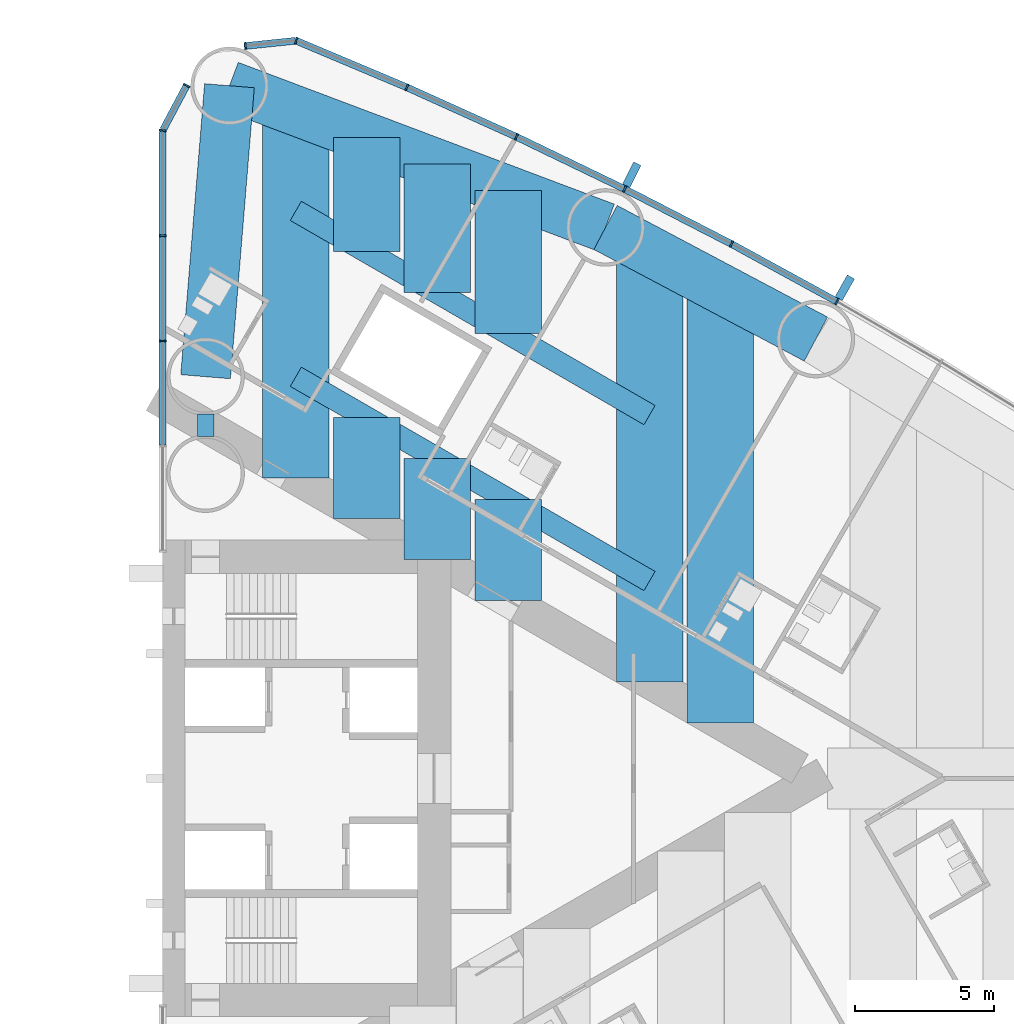
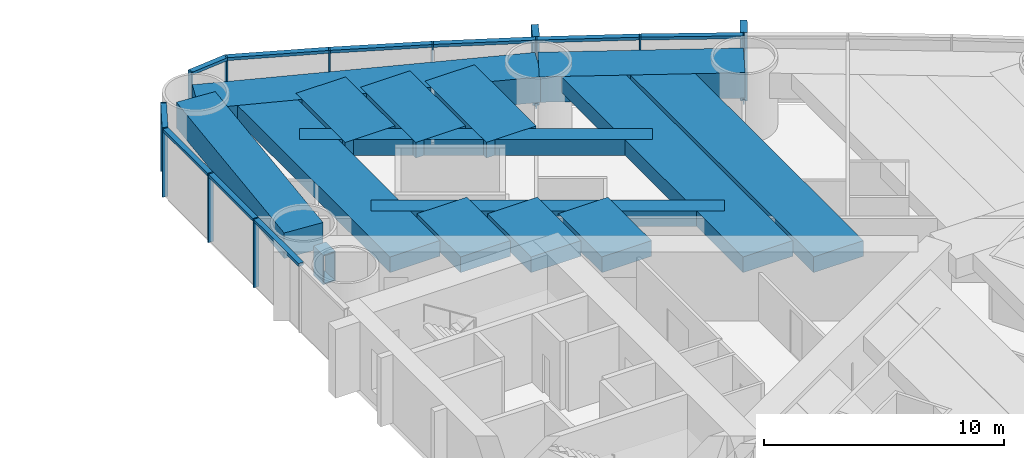
# One storey, part 7 of 19: 23 members, 15 beams, 2 elements without a shape of their own.
"""IFC4 building model written with IfcOpenShell, lengths in metres."""

import ifcopenshell
import ifcopenshell.guid

model = None  # the IFC model being written
_history = None  # IfcOwnerHistory: only IFC2X3 demands one
_inside = {}  # id of a spatial element -> (the spatial element, [elements in it])
_under = {}  # id of a project, library or spatial element -> (it, [spatial elements below it])
_declared = {}  # id of a project -> (the project, [libraries it declares])
_typed = {}  # id of a type object -> (the type object, [elements of that type])
_made_of = {}  # id of a material, layer set ... -> (it, [elements and type objects made of it])


def new_model(schema):
    """Start an empty IFC model of exactly this schema.

    Asked for "IFC4X3", IfcOpenShell would pick the latest addendum, in which some entities
    have other attributes; the version numbers below select the first issue.
    IFC2X3 requires an IfcOwnerHistory on every rooted entity: one is made here for all.
    """
    global model, _history
    if schema == "IFC4X3":
        model = ifcopenshell.file(schema_version=(4, 3, 0, 0))
    else:
        model = ifcopenshell.file(schema=schema)
    _inside.clear()
    _under.clear()
    _declared.clear()
    _typed.clear()
    _made_of.clear()
    _history = None
    if model.schema == "IFC2X3":
        org = make("IfcOrganization", Name="unknown")
        user = make(
            "IfcPersonAndOrganization",
            ThePerson=make("IfcPerson", FamilyName="unknown"),
            TheOrganization=org,
        )
        app = make(
            "IfcApplication",
            ApplicationDeveloper=org,
            Version="unknown",
            ApplicationFullName="unknown",
            ApplicationIdentifier="unknown",
        )
        _history = make(
            "IfcOwnerHistory",
            OwningUser=user,
            OwningApplication=app,
            ChangeAction="ADDED",
            CreationDate=0,
        )
    return model


def make(cls, **values):
    """One entity of the class cls with the attributes given. An attribute that is None is left unset."""
    return model.create_entity(
        cls, **{name: value for name, value in values.items() if value is not None}
    )


def rooted(cls, **values):
    """An entity with a GlobalId (a new one), such as an element, a storey or a relation."""
    return make(cls, GlobalId=ifcopenshell.guid.new(), OwnerHistory=_history, **values)


def si_unit(unit_type, name, prefix=None):
    """IfcSIUnit, for example si_unit("LENGTHUNIT", "METRE", prefix="MILLI")."""
    return make("IfcSIUnit", UnitType=unit_type, Prefix=prefix, Name=name)


def assignment(units):
    """IfcUnitAssignment: the units of a project."""
    return None if units is None else make("IfcUnitAssignment", Units=units)


def point(xyz):
    """IfcCartesianPoint."""
    return None if xyz is None else make("IfcCartesianPoint", Coordinates=xyz)


def direction(xyz):
    """IfcDirection."""
    return None if xyz is None else make("IfcDirection", DirectionRatios=xyz)


def frame(location, z_axis=None, x_axis=None):
    """IfcAxis2Placement3D, a coordinate frame: its origin and axes. An axis left out is left unset."""
    return make(
        "IfcAxis2Placement3D",
        Location=point(location),
        Axis=direction(z_axis),
        RefDirection=direction(x_axis),
    )


def frame_2d(location, x_axis=None):
    """IfcAxis2Placement2D, a coordinate frame in the plane: its origin and x axis."""
    return make(
        "IfcAxis2Placement2D", Location=point(location), RefDirection=direction(x_axis)
    )


def origin():
    """The frame at (0, 0, 0) with its axes left unset."""
    return frame((0.0, 0.0, 0.0))


def origin_2d():
    """The frame at (0, 0) in the plane with its x axis left unset."""
    return frame_2d((0.0, 0.0))


def place(relative_to, where):
    """IfcLocalPlacement: puts the frame where relative to a parent placement (None: the world)."""
    return make(
        "IfcLocalPlacement", PlacementRelTo=relative_to, RelativePlacement=where
    )


def context(
    kind, dimensions, precision=None, world=None, true_north=None, identifier=None
):
    """IfcGeometricRepresentationContext, for example the 3D "Model" context."""
    return make(
        "IfcGeometricRepresentationContext",
        ContextIdentifier=identifier,
        ContextType=kind,
        CoordinateSpaceDimension=dimensions,
        Precision=precision,
        WorldCoordinateSystem=world,
        TrueNorth=true_north,
    )


def subcontext(parent, identifier, kind, view, scale=None):
    """IfcGeometricRepresentationSubContext, for example "Body" below "Model"."""
    return make(
        "IfcGeometricRepresentationSubContext",
        ContextIdentifier=identifier,
        ContextType=kind,
        ParentContext=parent,
        TargetScale=scale,
        TargetView=view,
    )


def project(units=None, contexts=None):
    """IfcProject with its units and contexts."""
    return rooted(
        "IfcProject",
        Name="project",
        RepresentationContexts=contexts,
        UnitsInContext=assignment(units),
    )


def spatial(cls, under=None, at=None, **own):
    """A site, building, storey or space (cls), placed at a placement, below another one or the project."""
    s = rooted(cls, ObjectPlacement=at, **own)
    if under is not None:
        _under.setdefault(under.id(), (under, []))[1].append(s)
    return s


def profile(cls, at=None, kind="AREA", **sizes):
    """A parametric profile (cls). Its sizes go by their IFC names, for example OverallWidth=200.0."""
    return make(cls, ProfileType=kind, Position=at, **sizes)


def rectangle(**sizes):
    """IfcRectangleProfileDef."""
    return profile("IfcRectangleProfileDef", **sizes)


def hollow_rectangle(**sizes):
    """IfcRectangleHollowProfileDef."""
    return profile("IfcRectangleHollowProfileDef", **sizes)


def extrude(swept, where, along, depth):
    """IfcExtrudedAreaSolid: the profile swept, set in the frame where, extruded along a direction by depth."""
    return make(
        "IfcExtrudedAreaSolid",
        SweptArea=swept,
        Position=where,
        ExtrudedDirection=direction(along),
        Depth=depth,
    )


def shape(context_of_items, identifier, shape_type, items):
    """IfcShapeRepresentation: the items that make up one representation, for example the "Body"."""
    return make(
        "IfcShapeRepresentation",
        ContextOfItems=context_of_items,
        RepresentationIdentifier=identifier,
        RepresentationType=shape_type,
        Items=items,
    )


def material(Name=None, Category=None):
    """IfcMaterial."""
    return make("IfcMaterial", Name=Name, Category=Category)


def material_profile(
    of_material, cross_section, Name=None, Category=None, Priority=None
):
    """IfcMaterialProfile: a cross section and its material."""
    return make(
        "IfcMaterialProfile",
        Name=Name,
        Material=of_material,
        Profile=cross_section,
        Priority=Priority,
        Category=Category,
    )


def profile_set(profiles, Name=None, composite=None):
    """IfcMaterialProfileSet."""
    return make(
        "IfcMaterialProfileSet",
        Name=Name,
        MaterialProfiles=profiles,
        CompositeProfile=composite,
    )


def made_of(thing, what):
    """Note that an element or type object is made of a material, layer set ...; save() writes the relation."""
    if what is not None:
        _made_of.setdefault(what.id(), (what, []))[1].append(thing)
    return thing


def type_object(cls, material=None, **own):
    """A type object (cls), such as IfcWallType, which elements share."""
    return made_of(rooted(cls, **own), material)


def element(
    cls,
    number,
    at=None,
    inside=None,
    cuts=None,
    type_object=None,
    material=None,
    context=None,
    identifier="Body",
    shape_type=None,
    held_by="IfcProductDefinitionShape",
    body=None,
    shapes=None,
    **own,
):
    """One element of the class cls, such as IfcWall. Its Tag is "e" and its number.

    at: its placement. inside: the storey or other place that contains it. cuts: it is an
    opening in that element (IfcRelVoidsElement). A single representation is given by context,
    identifier, shape_type and body (its items); several are given by shapes. held_by: the class
    of the entity that holds the representations. save() writes the other relations.
    """
    e = rooted(cls, Tag="e%d" % number, ObjectPlacement=at, **own)
    if body is not None:
        shapes = [shape(context, identifier, shape_type, body)]
    if shapes is not None:
        e.Representation = make(held_by, Representations=shapes)
    if inside is not None:
        _inside.setdefault(inside.id(), (inside, []))[1].append(e)
    if cuts is not None:
        rooted(
            "IfcRelVoidsElement", RelatingBuildingElement=cuts, RelatedOpeningElement=e
        )
    if type_object is not None:
        _typed.setdefault(type_object.id(), (type_object, []))[1].append(e)
    return made_of(e, material)


def aggregate(whole, parts):
    """IfcRelAggregates: a whole, such as a stair, and the parts it consists of."""
    return rooted("IfcRelAggregates", RelatingObject=whole, RelatedObjects=parts)


def save(model, path):
    """Write the relations noted so far, then the file.

    IfcRelAggregates (storeys below a building ...), IfcRelContainedInSpatialStructure (elements
    in a storey), IfcRelDefinesByType, IfcRelAssociatesMaterial and IfcRelDeclares: one each for
    every whole, place, type object, material and project.
    """
    for whole, parts in _under.values():
        aggregate(whole, parts)
    for where, things in _inside.values():
        rooted(
            "IfcRelContainedInSpatialStructure",
            RelatedElements=things,
            RelatingStructure=where,
        )
    for kind, things in _typed.values():
        rooted("IfcRelDefinesByType", RelatedObjects=things, RelatingType=kind)
    for what, things in _made_of.values():
        rooted("IfcRelAssociatesMaterial", RelatedObjects=things, RelatingMaterial=what)
    for by, libraries in _declared.values():
        rooted("IfcRelDeclares", RelatingContext=by, RelatedDefinitions=libraries)
    model.write(path)


model = new_model("IFC4")

# Units and contexts
model_context = context("Model", 3, precision=1e-05, world=origin(), true_north=direction((0.0, 1.0)))
body_context = subcontext(model_context, "Body", "Model", "MODEL_VIEW")
ifc_project = project(units=[si_unit("LENGTHUNIT", "METRE"), si_unit("AREAUNIT", "SQUARE_METRE"), si_unit("VOLUMEUNIT", "CUBIC_METRE"), si_unit("PLANEANGLEUNIT", "RADIAN"), si_unit("MASSUNIT", "GRAM", prefix="KILO")], contexts=[model_context])

# Site, building, storey
site_placement = place(None, origin())
site = spatial("IfcSite", under=ifc_project, at=site_placement, CompositionType="ELEMENT")
building_placement = place(site_placement, origin())
building = spatial("IfcBuilding", under=site, at=building_placement, Name="Lancet Gate Hotel", CompositionType="ELEMENT")
storey_placement = place(building_placement, frame((0.0, 0.0, 60.0)))
storey = spatial("IfcBuildingStorey", under=building, at=storey_placement, Name="L15", CompositionType="ELEMENT", Elevation=60.0)

# Curtain wall, members
ifc_material_1 = material(Name="Aluminium curtain wall", Category="aluminium")
curtain_wall_type = type_object("IfcCurtainWallType", Name="Tower unitised curtain wall", PredefinedType="USERDEFINED", material=ifc_material_1)
curtain_wall_1_placement = place(storey_placement, origin())
curtain_wall_1 = element("IfcCurtainWall", 1, at=curtain_wall_1_placement, inside=storey, type_object=curtain_wall_type, Name="T2 L15 curtain wall 3", ObjectType="UNITISED CURTAIN WALL", PredefinedType="USERDEFINED")
ifc_material_2 = material(Name="Aluminium mullion", Category="aluminium")
ifc_material_profile_1 = material_profile(ifc_material_2, rectangle(XDim=0.06494140625, YDim=0.25, at=origin_2d()), Name="MULLION 65x250")
ifc_profile_set_1 = profile_set([ifc_material_profile_1], Name="Aluminium mullion")
member_type_1 = type_object("IfcMemberType", Name="Aluminium mullion 65x250", PredefinedType="MULLION", material=ifc_profile_set_1)
member_1_placement = place(storey_placement, frame((51.838623046875, 17.208740234375, 0.0), z_axis=(0.0, 0.0, 1.0), x_axis=(-0.871190450382, 0.490945209941, 0.0)))
member_1 = element("IfcMember", 2, at=member_1_placement, type_object=member_type_1, Name="T2 L15 curtain wall 3 mullion 8", PredefinedType="MULLION", context=body_context, shape_type="SweptSolid", body=[
    extrude(rectangle(XDim=0.06494140625, YDim=0.25, at=origin_2d()), origin(), (0.0, 0.0, 1.0), 3.5),
])
member_2_placement = place(storey_placement, frame((48.03271484375, 19.2900390625, 0.0), z_axis=(0.0, 0.0, 1.0), x_axis=(-0.88340346743, 0.468613181347, 0.0)))
member_2 = element("IfcMember", 3, at=member_2_placement, type_object=member_type_1, Name="T2 L15 curtain wall 3 mullion 9", PredefinedType="MULLION", context=body_context, shape_type="SweptSolid", body=[
    extrude(rectangle(XDim=0.06494140625, YDim=0.25, at=origin_2d()), origin(), (0.0, 0.0, 1.0), 3.5),
])
member_3_placement = place(storey_placement, frame((44.17529296875, 21.273681640625, 0.0), z_axis=(0.0, 0.0, 1.0), x_axis=(-0.895044147438, 0.445977548917, 0.0)))
member_3 = element("IfcMember", 4, at=member_3_placement, type_object=member_type_1, Name="T2 L15 curtain wall 3 mullion 10", PredefinedType="MULLION", context=body_context, shape_type="SweptSolid", body=[
    extrude(rectangle(XDim=0.06494140625, YDim=0.25, at=origin_2d()), origin(), (0.0, 0.0, 1.0), 3.5),
])
member_4_placement = place(storey_placement, frame((40.2685546875, 23.15869140625, 0.0), z_axis=(0.0, 0.0, 1.0), x_axis=(-0.906104948671, 0.423052977762, 0.0)))
member_4 = element("IfcMember", 5, at=member_4_placement, type_object=member_type_1, Name="T2 L15 curtain wall 3 mullion 11", PredefinedType="MULLION", context=body_context, shape_type="SweptSolid", body=[
    extrude(rectangle(XDim=0.06494140625, YDim=0.25, at=origin_2d()), origin(), (0.0, 0.0, 1.0), 3.5),
])
member_5_placement = place(storey_placement, frame((36.31494140625, 24.943603515625, 0.0), z_axis=(0.0, 0.0, 1.0), x_axis=(-0.916578705089, 0.399854320193, 0.0)))
member_5 = element("IfcMember", 6, at=member_5_placement, type_object=member_type_1, Name="T2 L15 curtain wall 3 mullion 12", PredefinedType="MULLION", context=body_context, shape_type="SweptSolid", body=[
    extrude(rectangle(XDim=0.06494140625, YDim=0.25, at=origin_2d()), origin(), (0.0, 0.0, 1.0), 3.5),
])
member_6_placement = place(storey_placement, frame((32.3173828125, 26.62744140625, 0.0), z_axis=(0.0, 0.0, 1.0), x_axis=(-0.968721492963, 0.248150496819, 0.0)))
member_6 = element("IfcMember", 7, at=member_6_placement, type_object=member_type_1, Name="T2 L15 curtain wall 3 mullion 13", PredefinedType="MULLION", context=body_context, shape_type="SweptSolid", body=[
    extrude(rectangle(XDim=0.06494140625, YDim=0.25, at=origin_2d()), origin(), (0.0, 0.0, 1.0), 3.5),
])
member_7_placement = place(storey_placement, frame((30.48388671875, 26.4375, 0.0), z_axis=(0.0, 0.0, 1.0), x_axis=(-0.994672262412, -0.10308778001, 0.0)))
member_7 = element("IfcMember", 8, at=member_7_placement, type_object=member_type_1, Name="T2 L15 curtain wall 3 mullion 14", PredefinedType="MULLION", context=body_context, shape_type="SweptSolid", body=[
    extrude(rectangle(XDim=0.06494140625, YDim=0.25, at=origin_2d()), origin(), (0.0, 0.0, 1.0), 3.5),
])

curtain_wall_2_placement = place(storey_placement, origin())
curtain_wall_2 = element("IfcCurtainWall", 9, at=curtain_wall_2_placement, inside=storey, type_object=curtain_wall_type, Name="T2 L15 curtain wall 4", ObjectType="UNITISED CURTAIN WALL", PredefinedType="USERDEFINED")
member_8_placement = place(storey_placement, frame((28.366455078125, 25.012451171875, 0.0), z_axis=(0.0, 0.0, 1.0), x_axis=(-0.469897827284, -0.882720811987, 0.0)))
member_8 = element("IfcMember", 10, at=member_8_placement, type_object=member_type_1, Name="T2 L15 curtain wall 4 mullion 1", PredefinedType="MULLION", context=body_context, shape_type="SweptSolid", body=[
    extrude(rectangle(XDim=0.06494140625, YDim=0.25, at=origin_2d()), origin(), (0.0, 0.0, 1.0), 3.5),
])
member_9_placement = place(storey_placement, frame((27.5, 23.384765625, 0.0), z_axis=(0.0, 0.0, 1.0), x_axis=(-0.157751691459, -0.987478811844, 0.0)))
member_9 = element("IfcMember", 11, at=member_9_placement, type_object=member_type_1, Name="T2 L15 curtain wall 4 mullion 2", PredefinedType="MULLION", context=body_context, shape_type="SweptSolid", body=[
    extrude(rectangle(XDim=0.06494140625, YDim=0.25, at=origin_2d()), origin(), (0.0, 0.0, 1.0), 3.5),
])
member_10_placement = place(storey_placement, frame((27.5, 19.588623046875, 0.0), z_axis=(0.0, 0.0, 1.0), x_axis=(0.0, -1.0, 0.0)))
member_10 = element("IfcMember", 12, at=member_10_placement, type_object=member_type_1, Name="T2 L15 curtain wall 4 mullion 3", PredefinedType="MULLION", context=body_context, shape_type="SweptSolid", body=[
    extrude(rectangle(XDim=0.06494140625, YDim=0.25, at=origin_2d()), origin(), (0.0, 0.0, 1.0), 3.5),
])
member_11_placement = place(storey_placement, frame((27.5, 15.79248046875, 0.0), z_axis=(0.0, 0.0, 1.0), x_axis=(0.0, -1.0, 0.0)))
member_11 = element("IfcMember", 13, at=member_11_placement, type_object=member_type_1, Name="T2 L15 curtain wall 4 mullion 4", PredefinedType="MULLION", context=body_context, shape_type="SweptSolid", body=[
    extrude(rectangle(XDim=0.06494140625, YDim=0.25, at=origin_2d()), origin(), (0.0, 0.0, 1.0), 3.5),
])

# Member
ifc_material_3 = material(Name="Aluminium transom", Category="aluminium")
ifc_material_profile_2 = material_profile(ifc_material_3, rectangle(XDim=0.25, YDim=0.14990234375, at=origin_2d()), Name="TRANSOM 250x150")
ifc_profile_set_2 = profile_set([ifc_material_profile_2], Name="Aluminium transom")
member_type_2 = type_object("IfcMemberType", Name="Aluminium transom 250x150", PredefinedType="USERDEFINED", material=ifc_profile_set_2)
member_12_placement = place(storey_placement, frame((51.81005859375, 17.224365234375, 3.425048828125), z_axis=(-0.877377528879, 0.479800658417, 0.0), x_axis=(-0.479800658417, -0.877377528879, 0.0)))
member_12 = element("IfcMember", 14, at=member_12_placement, type_object=member_type_2, Name="T2 L15 curtain wall 3 transom 8", ObjectType="TRANSOM", PredefinedType="USERDEFINED", context=body_context, shape_type="SweptSolid", body=[
    extrude(rectangle(XDim=0.25, YDim=0.14990234375, at=origin_2d()), origin(), (0.0, 0.0, 1.0), 4.272705078125),
])

member_13_placement = place(storey_placement, frame((48.00390625, 19.304931640625, 3.425048828125), z_axis=(-0.88929576978, 0.457332520002, 0.0), x_axis=(-0.457332520002, -0.88929576978, 0.0)))
member_13 = element("IfcMember", 15, at=member_13_placement, type_object=member_type_2, Name="T2 L15 curtain wall 3 transom 9", ObjectType="TRANSOM", PredefinedType="USERDEFINED", context=body_context, shape_type="SweptSolid", body=[
    extrude(rectangle(XDim=0.25, YDim=0.14990234375, at=origin_2d()), origin(), (0.0, 0.0, 1.0), 4.272705078125),
])

member_14_placement = place(storey_placement, frame((44.14599609375, 21.287841796875, 3.425048828125), z_axis=(-0.900646499888, 0.434552508035, 0.0), x_axis=(-0.434552508035, -0.900646499888, 0.0)))
member_14 = element("IfcMember", 16, at=member_14_placement, type_object=member_type_2, Name="T2 L15 curtain wall 3 transom 10", ObjectType="TRANSOM", PredefinedType="USERDEFINED", context=body_context, shape_type="SweptSolid", body=[
    extrude(rectangle(XDim=0.25, YDim=0.14990234375, at=origin_2d()), origin(), (0.0, 0.0, 1.0), 4.272705078125),
])

member_15_placement = place(storey_placement, frame((40.23876953125, 23.172119140625, 3.425048828125), z_axis=(-0.911396871737, 0.411528543589, 0.0), x_axis=(-0.411528543589, -0.911396871737, 0.0)))
member_15 = element("IfcMember", 17, at=member_15_placement, type_object=member_type_2, Name="T2 L15 curtain wall 3 transom 11", ObjectType="TRANSOM", PredefinedType="USERDEFINED", context=body_context, shape_type="SweptSolid", body=[
    extrude(rectangle(XDim=0.25, YDim=0.14990234375, at=origin_2d()), origin(), (0.0, 0.0, 1.0), 4.272705078125),
])

member_16_placement = place(storey_placement, frame((36.28515625, 24.956298828125, 3.425048828125), z_axis=(-0.92159772617, 0.388146404233, 0.0), x_axis=(-0.388146404233, -0.92159772617, 0.0)))
member_16 = element("IfcMember", 18, at=member_16_placement, type_object=member_type_2, Name="T2 L15 curtain wall 3 transom 12", ObjectType="TRANSOM", PredefinedType="USERDEFINED", context=body_context, shape_type="SweptSolid", body=[
    extrude(rectangle(XDim=0.25, YDim=0.14990234375, at=origin_2d()), origin(), (0.0, 0.0, 1.0), 4.272705078125),
])

member_17_placement = place(storey_placement, frame((32.28515625, 26.6240234375, 3.425048828125), z_axis=(-0.994670452051, -0.103105246306, 0.0), x_axis=(0.103105246306, -0.994670452051, 0.0)))
member_17 = element("IfcMember", 19, at=member_17_placement, type_object=member_type_2, Name="T2 L15 curtain wall 3 transom 13", ObjectType="TRANSOM", PredefinedType="USERDEFINED", context=body_context, shape_type="SweptSolid", body=[
    extrude(rectangle(XDim=0.25, YDim=0.14990234375, at=origin_2d()), origin(), (0.0, 0.0, 1.0), 1.7783203125),
])

member_18_placement = place(storey_placement, frame((28.351318359375, 24.98388671875, 3.425048828125), z_axis=(-0.469904276347, -0.882717378933, 0.0), x_axis=(0.882717378933, -0.469904276347, 0.0)))
member_18 = element("IfcMember", 20, at=member_18_placement, type_object=member_type_2, Name="T2 L15 curtain wall 4 transom 1", ObjectType="TRANSOM", PredefinedType="USERDEFINED", context=body_context, shape_type="SweptSolid", body=[
    extrude(rectangle(XDim=0.25, YDim=0.14990234375, at=origin_2d()), origin(), (0.0, 0.0, 1.0), 1.779052734375),
])

member_19_placement = place(storey_placement, frame((27.5, 23.352294921875, 3.425048828125), z_axis=(0.0, -1.0, 0.0), x_axis=(1.0, 0.0, 0.0)))
member_19 = element("IfcMember", 21, at=member_19_placement, type_object=member_type_2, Name="T2 L15 curtain wall 4 transom 2", ObjectType="TRANSOM", PredefinedType="USERDEFINED", context=body_context, shape_type="SweptSolid", body=[
    extrude(rectangle(XDim=0.25, YDim=0.14990234375, at=origin_2d()), origin(), (0.0, 0.0, 1.0), 3.731201171875),
])

member_20_placement = place(storey_placement, frame((27.5, 19.55615234375, 3.425048828125), z_axis=(0.0, -1.0, 0.0), x_axis=(1.0, 0.0, 0.0)))
member_20 = element("IfcMember", 22, at=member_20_placement, type_object=member_type_2, Name="T2 L15 curtain wall 4 transom 3", ObjectType="TRANSOM", PredefinedType="USERDEFINED", context=body_context, shape_type="SweptSolid", body=[
    extrude(rectangle(XDim=0.25, YDim=0.14990234375, at=origin_2d()), origin(), (0.0, 0.0, 1.0), 3.731201171875),
])

member_21_placement = place(storey_placement, frame((27.5, 15.760009765625, 3.425048828125), z_axis=(0.0, -1.0, 0.0), x_axis=(1.0, 0.0, 0.0)))
member_21 = element("IfcMember", 23, at=member_21_placement, type_object=member_type_2, Name="T2 L15 curtain wall 4 transom 4", ObjectType="TRANSOM", PredefinedType="USERDEFINED", context=body_context, shape_type="SweptSolid", body=[
    extrude(rectangle(XDim=0.25, YDim=0.14990234375, at=origin_2d()), origin(), (0.0, 0.0, 1.0), 3.731201171875),
])

aggregate(curtain_wall_2, [member_8, member_9, member_10, member_11, member_18, member_19, member_20, member_21])

# Beams
ifc_material_4 = material(Name="Concrete C50/60", Category="concrete")
ifc_material_profile_3 = material_profile(ifc_material_4, rectangle(XDim=1.800048828125, YDim=1.300048828125, at=origin_2d()), Name="RC 1800x1300")
ifc_profile_set_3 = profile_set([ifc_material_profile_3], Name="Concrete C50/60")
beam_type_1 = type_object("IfcBeamType", Name="Edge beam RC 1800x1300", PredefinedType="SPANDREL", material=ifc_profile_set_3)
beam_1_placement = place(storey_placement, frame((51.07763671875, 15.8583984375, 2.60009765625), z_axis=(-0.883403493655, 0.46861313191, 0.0), x_axis=(-0.46861313191, -0.883403493655, 0.0)))
element("IfcBeam", 24, at=beam_1_placement, inside=storey, type_object=beam_type_1, Name="T2 edge beam EB1 L15", PredefinedType="SPANDREL", context=body_context, shape_type="SweptSolid", body=[
    extrude(rectangle(XDim=1.800048828125, YDim=1.300048828125, at=origin_2d()), origin(), (0.0, 0.0, 1.0), 8.595703125),
])
beam_2_placement = place(storey_placement, frame((43.484130859375, 19.886474609375, 2.60009765625), z_axis=(-0.935736448066, 0.352700013836, 0.0), x_axis=(-0.352700013836, -0.935736448066, 0.0)))
element("IfcBeam", 25, at=beam_2_placement, inside=storey, type_object=beam_type_1, Name="T2 edge beam EB1 L15", PredefinedType="SPANDREL", context=body_context, shape_type="SweptSolid", body=[
    extrude(rectangle(XDim=1.800048828125, YDim=1.300048828125, at=origin_2d()), origin(), (0.0, 0.0, 1.0), 14.505126953125),
])
beam_3_placement = place(storey_placement, frame((29.050048828125, 14.5, 2.60009765625), z_axis=(0.081714744052, 0.996655758326, 0.0), x_axis=(-0.996655758326, 0.081714744052, 0.0)))
element("IfcBeam", 26, at=beam_3_placement, inside=storey, type_object=beam_type_1, Name="T2 edge beam EB1 L15", PredefinedType="SPANDREL", context=body_context, shape_type="SweptSolid", body=[
    extrude(rectangle(XDim=1.800048828125, YDim=1.300048828125, at=origin_2d()), origin(), (0.0, 0.0, 1.0), 10.53759765625),
])

# Member
ifc_material_5 = material(Name="Precast concrete C50/60", Category="concrete")
ifc_material_profile_4 = material_profile(ifc_material_5, rectangle(XDim=0.300048828125, YDim=0.89990234375, at=origin_2d()), Name="FIN 300x900")
ifc_profile_set_4 = profile_set([ifc_material_profile_4], Name="Precast concrete C50/60")
member_type_3 = type_object("IfcMemberType", Name="Exposed concrete fin 300x900", PredefinedType="USERDEFINED", material=ifc_profile_set_4)
member_22_placement = place(storey_placement, frame((52.120849609375, 17.709716796875, 0.0), z_axis=(0.0, 0.0, 1.0), x_axis=(-0.871190450382, 0.490945209941, 0.0)))
member_22 = element("IfcMember", 27, at=member_22_placement, type_object=member_type_3, Name="T2 L15 curtain wall 3 fin 8", ObjectType="FIN", PredefinedType="USERDEFINED", context=body_context, shape_type="SweptSolid", body=[
    extrude(rectangle(XDim=0.300048828125, YDim=0.89990234375, at=origin_2d()), origin(), (0.0, 0.0, 1.0), 3.5),
])

member_23_placement = place(storey_placement, frame((44.431640625, 21.788330078125, 0.0), z_axis=(0.0, 0.0, 1.0), x_axis=(-0.895044147438, 0.445977548917, 0.0)))
member_23 = element("IfcMember", 28, at=member_23_placement, type_object=member_type_3, Name="T2 L15 curtain wall 3 fin 10", ObjectType="FIN", PredefinedType="USERDEFINED", context=body_context, shape_type="SweptSolid", body=[
    extrude(rectangle(XDim=0.300048828125, YDim=0.89990234375, at=origin_2d()), origin(), (0.0, 0.0, 1.0), 3.5),
])

aggregate(curtain_wall_1, [member_1, member_22, member_2, member_3, member_23, member_4, member_5, member_6, member_7, member_12, member_13, member_14, member_15, member_16, member_17])

# Beams
ifc_material_6 = material(Name="Concrete C50/60", Category="concrete")
ifc_material_profile_5 = material_profile(ifc_material_6, rectangle(XDim=2.39990234375, YDim=0.800048828125, at=origin_2d()), Name="RC 2400x800")
ifc_profile_set_5 = profile_set([ifc_material_profile_5], Name="Concrete C50/60")
beam_type_2 = type_object("IfcBeamType", Name="Floor beam RC 2400x800", PredefinedType="BEAM", material=ifc_profile_set_5)
beam_4_placement = place(storey_placement, frame((32.306396484375, 10.851806640625, 2.85009765625), z_axis=(0.0, 1.0, 0.0), x_axis=(-1.0, 0.0, 0.0)))
element("IfcBeam", 29, at=beam_4_placement, inside=storey, type_object=beam_type_2, Name="T2 floor beam F04N L15", PredefinedType="BEAM", context=body_context, shape_type="SweptSolid", body=[
    extrude(rectangle(XDim=2.39990234375, YDim=0.800048828125, at=origin_2d()), origin(), (0.0, 0.0, 1.0), 13.247802734375),
])
beam_5_placement = place(storey_placement, frame((45.072265625, 3.4814453125, 2.85009765625), z_axis=(0.0, 1.0, 0.0), x_axis=(-1.0, 0.0, 0.0)))
element("IfcBeam", 30, at=beam_5_placement, inside=storey, type_object=beam_type_2, Name="T2 floor beam F12N L15", PredefinedType="BEAM", context=body_context, shape_type="SweptSolid", body=[
    extrude(rectangle(XDim=2.39990234375, YDim=0.800048828125, at=origin_2d()), origin(), (0.0, 0.0, 1.0), 15.5625),
])
beam_6_placement = place(storey_placement, frame((47.62548828125, 2.00732421875, 2.85009765625), z_axis=(0.0, 1.0, 0.0), x_axis=(-1.0, 0.0, 0.0)))
element("IfcBeam", 31, at=beam_6_placement, inside=storey, type_object=beam_type_2, Name="T2 floor beam F14N L15", PredefinedType="BEAM", context=body_context, shape_type="SweptSolid", body=[
    extrude(rectangle(XDim=2.39990234375, YDim=0.800048828125, at=origin_2d()), origin(), (0.0, 0.0, 1.0), 15.68212890625),
])
beam_7_placement = place(storey_placement, frame((34.859619140625, 9.377685546875, 2.85009765625), z_axis=(0.0, 1.0, 0.0), x_axis=(-1.0, 0.0, 0.0)))
element("IfcBeam", 32, at=beam_7_placement, inside=storey, type_object=beam_type_2, Name="T2 floor beam F06NA L15", PredefinedType="BEAM", context=body_context, shape_type="SweptSolid", body=[
    extrude(rectangle(XDim=2.39990234375, YDim=0.800048828125, at=origin_2d()), origin(), (0.0, 0.0, 1.0), 3.645751953125),
])
beam_8_placement = place(storey_placement, frame((34.859619140625, 19.011474609375, 2.85009765625), z_axis=(0.0, 1.0, 0.0), x_axis=(-1.0, 0.0, 0.0)))
element("IfcBeam", 33, at=beam_8_placement, inside=storey, type_object=beam_type_2, Name="T2 floor beam F06NB L15", PredefinedType="BEAM", context=body_context, shape_type="SweptSolid", body=[
    extrude(rectangle(XDim=2.39990234375, YDim=0.800048828125, at=origin_2d()), origin(), (0.0, 0.0, 1.0), 4.125732421875),
])
beam_9_placement = place(storey_placement, frame((37.412841796875, 7.903564453125, 2.85009765625), z_axis=(0.0, 1.0, 0.0), x_axis=(-1.0, 0.0, 0.0)))
element("IfcBeam", 34, at=beam_9_placement, inside=storey, type_object=beam_type_2, Name="T2 floor beam F08NA L15", PredefinedType="BEAM", context=body_context, shape_type="SweptSolid", body=[
    extrude(rectangle(XDim=2.39990234375, YDim=0.800048828125, at=origin_2d()), origin(), (0.0, 0.0, 1.0), 3.6455078125),
])
beam_10_placement = place(storey_placement, frame((37.412841796875, 17.537109375, 2.85009765625), z_axis=(0.0, 1.0, 0.0), x_axis=(-1.0, 0.0, 0.0)))
element("IfcBeam", 35, at=beam_10_placement, inside=storey, type_object=beam_type_2, Name="T2 floor beam F08NB L15", PredefinedType="BEAM", context=body_context, shape_type="SweptSolid", body=[
    extrude(rectangle(XDim=2.39990234375, YDim=0.800048828125, at=origin_2d()), origin(), (0.0, 0.0, 1.0), 4.6376953125),
])
beam_11_placement = place(storey_placement, frame((39.9658203125, 6.429443359375, 2.85009765625), z_axis=(0.0, 1.0, 0.0), x_axis=(-1.0, 0.0, 0.0)))
element("IfcBeam", 36, at=beam_11_placement, inside=storey, type_object=beam_type_2, Name="T2 floor beam F10NA L15", PredefinedType="BEAM", context=body_context, shape_type="SweptSolid", body=[
    extrude(rectangle(XDim=2.39990234375, YDim=0.800048828125, at=origin_2d()), origin(), (0.0, 0.0, 1.0), 3.64501953125),
])
beam_12_placement = place(storey_placement, frame((39.9658203125, 16.062744140625, 2.85009765625), z_axis=(0.0, 1.0, 0.0), x_axis=(-1.0, 0.0, 0.0)))
element("IfcBeam", 37, at=beam_12_placement, inside=storey, type_object=beam_type_2, Name="T2 floor beam F10NB L15", PredefinedType="BEAM", context=body_context, shape_type="SweptSolid", body=[
    extrude(rectangle(XDim=2.39990234375, YDim=0.800048828125, at=origin_2d()), origin(), (0.0, 0.0, 1.0), 5.14990234375),
])
ifc_material_7 = material(Name="Steel S460QL", Category="steel")
ifc_material_profile_6 = material_profile(ifc_material_7, hollow_rectangle(XDim=0.60009765625, YDim=1.5, WallThickness=0.050048828125, at=origin_2d()), Name="BOX 1500x600x50")
ifc_profile_set_6 = profile_set([ifc_material_profile_6], Name="Steel S460QL")
beam_type_3 = type_object("IfcBeamType", Name="Inner-face link beam BOX 1500x600x50", PredefinedType="BEAM", material=ifc_profile_set_6)
beam_13_placement = place(storey_placement, frame((29.050048828125, 12.35009765625, 2.5), z_axis=(0.0, 1.0, 0.0), x_axis=(-1.0, 0.0, 0.0)))
element("IfcBeam", 38, at=beam_13_placement, inside=storey, type_object=beam_type_3, Name="T2 inner-face link beam LK1 L15", PredefinedType="BEAM", context=body_context, shape_type="SweptSolid", body=[
    extrude(hollow_rectangle(XDim=0.60009765625, YDim=1.5, WallThickness=0.050048828125, at=origin_2d()), origin(), (0.0, 0.0, 1.0), 0.7998046875),
])
ifc_material_8 = material(Name="Steel S460QL", Category="steel")
ifc_material_profile_7 = material_profile(ifc_material_8, hollow_rectangle(XDim=0.800048828125, YDim=0.800048828125, WallThickness=0.080078125, at=origin_2d()), Name="BOX 800x800x80")
ifc_profile_set_7 = profile_set([ifc_material_profile_7], Name="Steel S460QL")
beam_type_4 = type_object("IfcBeamType", Name="Trimmer beam BOX 800x800x80", PredefinedType="BEAM", material=ifc_profile_set_7)
beam_14_placement = place(storey_placement, frame((32.306396484375, 20.48583984375, 2.85009765625), z_axis=(0.86598286195, -0.500073677381, 0.0), x_axis=(0.500073677381, 0.86598286195, 0.0)))
element("IfcBeam", 39, at=beam_14_placement, inside=storey, type_object=beam_type_4, Name="T2 trimmer beam TR03N L15", PredefinedType="BEAM", context=body_context, shape_type="SweptSolid", body=[
    extrude(hollow_rectangle(XDim=0.800048828125, YDim=0.800048828125, WallThickness=0.080078125, at=origin_2d()), origin(), (0.0, 0.0, 1.0), 14.741455078125),
])
beam_15_placement = place(storey_placement, frame((32.306396484375, 14.497802734375, 2.85009765625), z_axis=(0.865975689888, -0.500086097111, 0.0), x_axis=(0.500086097111, 0.865975689888, 0.0)))
element("IfcBeam", 40, at=beam_15_placement, inside=storey, type_object=beam_type_4, Name="T2 trimmer beam TR04N L15", PredefinedType="BEAM", context=body_context, shape_type="SweptSolid", body=[
    extrude(hollow_rectangle(XDim=0.800048828125, YDim=0.800048828125, WallThickness=0.080078125, at=origin_2d()), origin(), (0.0, 0.0, 1.0), 14.74169921875),
])

save(model, "model.ifc")
